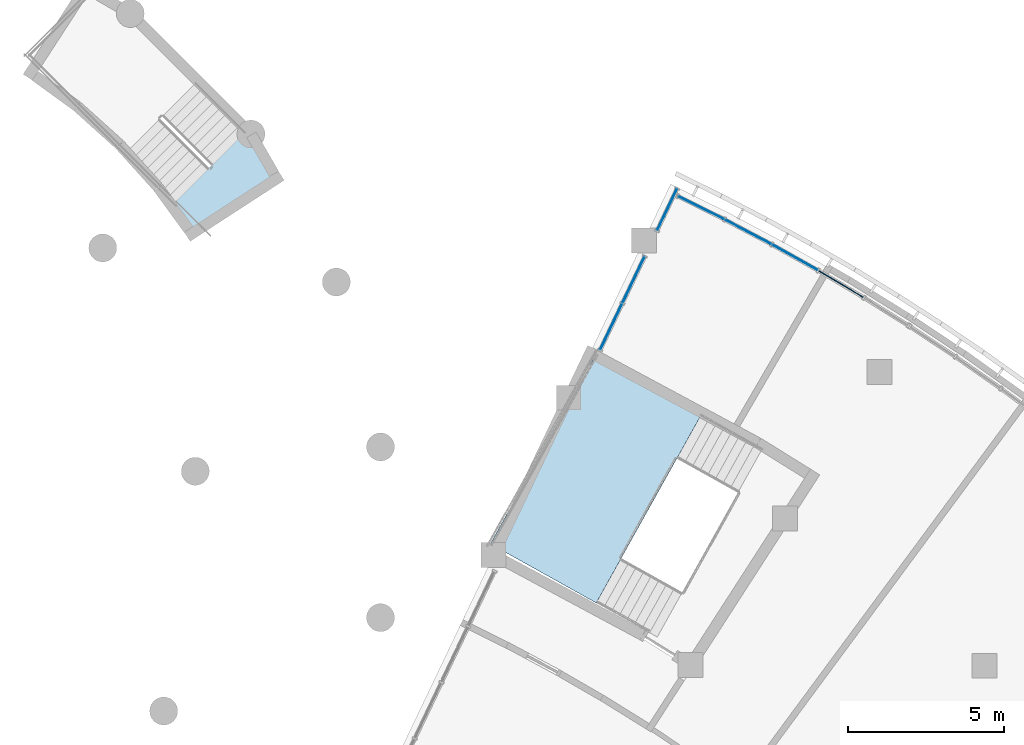
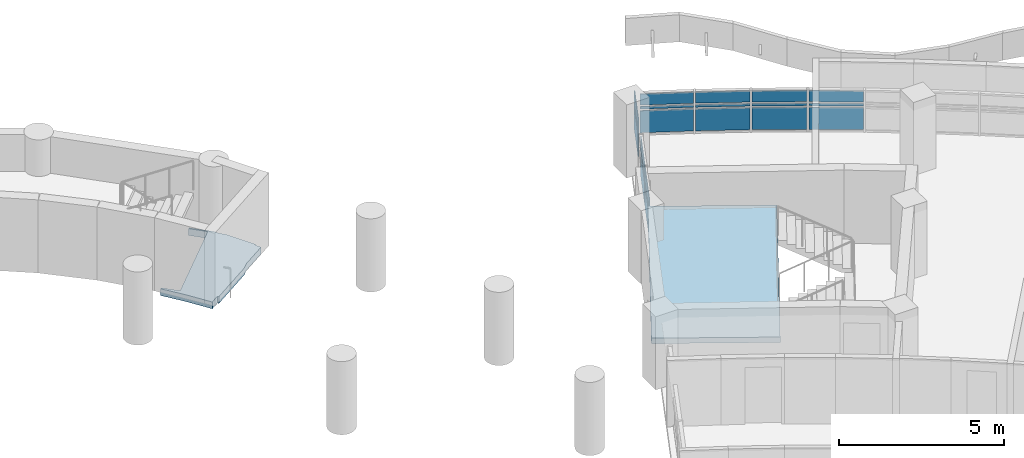
# One storey, part 29 of 89: 21 plates, 2 slabs, 4 elements without a shape of their own.
"""IFC4 building model written with IfcOpenShell, lengths in metres."""

import ifcopenshell
import ifcopenshell.guid

model = None  # the IFC model being written
_history = None  # IfcOwnerHistory: only IFC2X3 demands one
_inside = {}  # id of a spatial element -> (the spatial element, [elements in it])
_under = {}  # id of a project, library or spatial element -> (it, [spatial elements below it])
_declared = {}  # id of a project -> (the project, [libraries it declares])
_typed = {}  # id of a type object -> (the type object, [elements of that type])
_made_of = {}  # id of a material, layer set ... -> (it, [elements and type objects made of it])


def new_model(schema):
    """Start an empty IFC model of exactly this schema.

    Asked for "IFC4X3", IfcOpenShell would pick the latest addendum, in which some entities
    have other attributes; the version numbers below select the first issue.
    IFC2X3 requires an IfcOwnerHistory on every rooted entity: one is made here for all.
    """
    global model, _history
    if schema == "IFC4X3":
        model = ifcopenshell.file(schema_version=(4, 3, 0, 0))
    else:
        model = ifcopenshell.file(schema=schema)
    _inside.clear()
    _under.clear()
    _declared.clear()
    _typed.clear()
    _made_of.clear()
    _history = None
    if model.schema == "IFC2X3":
        org = make("IfcOrganization", Name="unknown")
        user = make(
            "IfcPersonAndOrganization",
            ThePerson=make("IfcPerson", FamilyName="unknown"),
            TheOrganization=org,
        )
        app = make(
            "IfcApplication",
            ApplicationDeveloper=org,
            Version="unknown",
            ApplicationFullName="unknown",
            ApplicationIdentifier="unknown",
        )
        _history = make(
            "IfcOwnerHistory",
            OwningUser=user,
            OwningApplication=app,
            ChangeAction="ADDED",
            CreationDate=0,
        )
    return model


def make(cls, **values):
    """One entity of the class cls with the attributes given. An attribute that is None is left unset."""
    return model.create_entity(
        cls, **{name: value for name, value in values.items() if value is not None}
    )


def rooted(cls, **values):
    """An entity with a GlobalId (a new one), such as an element, a storey or a relation."""
    return make(cls, GlobalId=ifcopenshell.guid.new(), OwnerHistory=_history, **values)


def si_unit(unit_type, name, prefix=None):
    """IfcSIUnit, for example si_unit("LENGTHUNIT", "METRE", prefix="MILLI")."""
    return make("IfcSIUnit", UnitType=unit_type, Prefix=prefix, Name=name)


def assignment(units):
    """IfcUnitAssignment: the units of a project."""
    return None if units is None else make("IfcUnitAssignment", Units=units)


def point(xyz):
    """IfcCartesianPoint."""
    return None if xyz is None else make("IfcCartesianPoint", Coordinates=xyz)


def direction(xyz):
    """IfcDirection."""
    return None if xyz is None else make("IfcDirection", DirectionRatios=xyz)


def frame(location, z_axis=None, x_axis=None):
    """IfcAxis2Placement3D, a coordinate frame: its origin and axes. An axis left out is left unset."""
    return make(
        "IfcAxis2Placement3D",
        Location=point(location),
        Axis=direction(z_axis),
        RefDirection=direction(x_axis),
    )


def frame_2d(location, x_axis=None):
    """IfcAxis2Placement2D, a coordinate frame in the plane: its origin and x axis."""
    return make(
        "IfcAxis2Placement2D", Location=point(location), RefDirection=direction(x_axis)
    )


def origin():
    """The frame at (0, 0, 0) with its axes left unset."""
    return frame((0.0, 0.0, 0.0))


def origin_2d():
    """The frame at (0, 0) in the plane with its x axis left unset."""
    return frame_2d((0.0, 0.0))


def place(relative_to, where):
    """IfcLocalPlacement: puts the frame where relative to a parent placement (None: the world)."""
    return make(
        "IfcLocalPlacement", PlacementRelTo=relative_to, RelativePlacement=where
    )


def context(
    kind, dimensions, precision=None, world=None, true_north=None, identifier=None
):
    """IfcGeometricRepresentationContext, for example the 3D "Model" context."""
    return make(
        "IfcGeometricRepresentationContext",
        ContextIdentifier=identifier,
        ContextType=kind,
        CoordinateSpaceDimension=dimensions,
        Precision=precision,
        WorldCoordinateSystem=world,
        TrueNorth=true_north,
    )


def subcontext(parent, identifier, kind, view, scale=None):
    """IfcGeometricRepresentationSubContext, for example "Body" below "Model"."""
    return make(
        "IfcGeometricRepresentationSubContext",
        ContextIdentifier=identifier,
        ContextType=kind,
        ParentContext=parent,
        TargetScale=scale,
        TargetView=view,
    )


def project(units=None, contexts=None):
    """IfcProject with its units and contexts."""
    return rooted(
        "IfcProject",
        Name="project",
        RepresentationContexts=contexts,
        UnitsInContext=assignment(units),
    )


def spatial(cls, under=None, at=None, **own):
    """A site, building, storey or space (cls), placed at a placement, below another one or the project."""
    s = rooted(cls, ObjectPlacement=at, **own)
    if under is not None:
        _under.setdefault(under.id(), (under, []))[1].append(s)
    return s


def polyline(points):
    """IfcPolyline through the points."""
    return make("IfcPolyline", Points=[point(p) for p in points])


def profile(cls, at=None, kind="AREA", **sizes):
    """A parametric profile (cls). Its sizes go by their IFC names, for example OverallWidth=200.0."""
    return make(cls, ProfileType=kind, Position=at, **sizes)


def rectangle(**sizes):
    """IfcRectangleProfileDef."""
    return profile("IfcRectangleProfileDef", **sizes)


def outline(outer, holes=None, kind="AREA"):
    """IfcArbitraryClosedProfileDef: a profile drawn as a closed curve; with holes, ...WithVoids."""
    if holes is None:
        return make("IfcArbitraryClosedProfileDef", ProfileType=kind, OuterCurve=outer)
    return make(
        "IfcArbitraryProfileDefWithVoids",
        ProfileType=kind,
        OuterCurve=outer,
        InnerCurves=holes,
    )


def extrude(swept, where, along, depth):
    """IfcExtrudedAreaSolid: the profile swept, set in the frame where, extruded along a direction by depth."""
    return make(
        "IfcExtrudedAreaSolid",
        SweptArea=swept,
        Position=where,
        ExtrudedDirection=direction(along),
        Depth=depth,
    )


def shape(context_of_items, identifier, shape_type, items):
    """IfcShapeRepresentation: the items that make up one representation, for example the "Body"."""
    return make(
        "IfcShapeRepresentation",
        ContextOfItems=context_of_items,
        RepresentationIdentifier=identifier,
        RepresentationType=shape_type,
        Items=items,
    )


def material(Name=None, Category=None):
    """IfcMaterial."""
    return make("IfcMaterial", Name=Name, Category=Category)


def layer(
    of_material, thickness, ventilated=None, Name=None, Category=None, Priority=None
):
    """IfcMaterialLayer: one layer of a wall or slab, of a material (None: an air gap)."""
    return make(
        "IfcMaterialLayer",
        Material=of_material,
        LayerThickness=thickness,
        IsVentilated=ventilated,
        Name=Name,
        Category=Category,
        Priority=Priority,
    )


def layer_set(layers, Name=None):
    """IfcMaterialLayerSet."""
    return make("IfcMaterialLayerSet", MaterialLayers=layers, LayerSetName=Name)


def made_of(thing, what):
    """Note that an element or type object is made of a material, layer set ...; save() writes the relation."""
    if what is not None:
        _made_of.setdefault(what.id(), (what, []))[1].append(thing)
    return thing


def type_object(cls, material=None, **own):
    """A type object (cls), such as IfcWallType, which elements share."""
    return made_of(rooted(cls, **own), material)


def element(
    cls,
    number,
    at=None,
    inside=None,
    cuts=None,
    type_object=None,
    material=None,
    context=None,
    identifier="Body",
    shape_type=None,
    held_by="IfcProductDefinitionShape",
    body=None,
    shapes=None,
    **own,
):
    """One element of the class cls, such as IfcWall. Its Tag is "e" and its number.

    at: its placement. inside: the storey or other place that contains it. cuts: it is an
    opening in that element (IfcRelVoidsElement). A single representation is given by context,
    identifier, shape_type and body (its items); several are given by shapes. held_by: the class
    of the entity that holds the representations. save() writes the other relations.
    """
    e = rooted(cls, Tag="e%d" % number, ObjectPlacement=at, **own)
    if body is not None:
        shapes = [shape(context, identifier, shape_type, body)]
    if shapes is not None:
        e.Representation = make(held_by, Representations=shapes)
    if inside is not None:
        _inside.setdefault(inside.id(), (inside, []))[1].append(e)
    if cuts is not None:
        rooted(
            "IfcRelVoidsElement", RelatingBuildingElement=cuts, RelatedOpeningElement=e
        )
    if type_object is not None:
        _typed.setdefault(type_object.id(), (type_object, []))[1].append(e)
    return made_of(e, material)


def aggregate(whole, parts):
    """IfcRelAggregates: a whole, such as a stair, and the parts it consists of."""
    return rooted("IfcRelAggregates", RelatingObject=whole, RelatedObjects=parts)


def save(model, path):
    """Write the relations noted so far, then the file.

    IfcRelAggregates (storeys below a building ...), IfcRelContainedInSpatialStructure (elements
    in a storey), IfcRelDefinesByType, IfcRelAssociatesMaterial and IfcRelDeclares: one each for
    every whole, place, type object, material and project.
    """
    for whole, parts in _under.values():
        aggregate(whole, parts)
    for where, things in _inside.values():
        rooted(
            "IfcRelContainedInSpatialStructure",
            RelatedElements=things,
            RelatingStructure=where,
        )
    for kind, things in _typed.values():
        rooted("IfcRelDefinesByType", RelatedObjects=things, RelatingType=kind)
    for what, things in _made_of.values():
        rooted("IfcRelAssociatesMaterial", RelatedObjects=things, RelatingMaterial=what)
    for by, libraries in _declared.values():
        rooted("IfcRelDeclares", RelatingContext=by, RelatedDefinitions=libraries)
    model.write(path)


model = new_model("IFC4")

# Units and contexts
model_context = context("Model", 3, precision=1e-05, world=origin(), true_north=direction((0.0, 1.0)))
body_context = subcontext(model_context, "Body", "Model", "MODEL_VIEW")
ifc_project = project(units=[si_unit("LENGTHUNIT", "METRE"), si_unit("AREAUNIT", "SQUARE_METRE"), si_unit("VOLUMEUNIT", "CUBIC_METRE"), si_unit("PLANEANGLEUNIT", "RADIAN"), si_unit("MASSUNIT", "GRAM", prefix="KILO")], contexts=[model_context])

# Site, building, storey
site_placement = place(None, origin())
site = spatial("IfcSite", under=ifc_project, at=site_placement, CompositionType="ELEMENT")
building_placement = place(site_placement, origin())
building = spatial("IfcBuilding", under=site, at=building_placement, Name="Bougainvillea Quay General Hospital", CompositionType="ELEMENT")
storey_placement = place(building_placement, frame((0.0, 0.0, 9.89990234375)))
storey = spatial("IfcBuildingStorey", under=building, at=storey_placement, Name="L01M", CompositionType="ELEMENT", Elevation=9.89990234375)

# Curtain wall, plates
ifc_material_1 = material(Name="Aluminium curtain wall system, powder-coated glazed", Category="aluminium")
curtain_wall_type_1 = type_object("IfcCurtainWallType", Name="Unitised curtain wall CW-2100", PredefinedType="NOTDEFINED", material=ifc_material_1)
curtain_wall_1_placement = place(storey_placement, origin())
curtain_wall_1 = element("IfcCurtainWall", 1, at=curtain_wall_1_placement, inside=storey, type_object=curtain_wall_type_1, Name="CW-E01 a10b0", PredefinedType="NOTDEFINED")
ifc_material_2 = material(Name="Insulated aluminium spandrel panel, white", Category="aluminium")
ifc_layer_1 = layer(ifc_material_2, 0.028076171875)
ifc_layer_set_1 = layer_set([ifc_layer_1], Name="Insulated aluminium spandrel panel, white")
plate_type_1 = type_object("IfcPlateType", Name="Insulated spandrel panel white 28", PredefinedType="CURTAIN_PANEL", material=ifc_layer_set_1)
plate_1_placement = place(storey_placement, frame((140.313720703125, 84.42041015625, 0.06005859375), z_axis=(0.0, 0.0, 1.0), x_axis=(0.895076033803, -0.445913549593, 0.0)))
plate_1 = element("IfcPlate", 2, at=plate_1_placement, type_object=plate_type_1, Name="CW-E01 spandrel panel 1.1", PredefinedType="CURTAIN_PANEL", context=body_context, shape_type="SweptSolid", body=[
    extrude(rectangle(XDim=1.62255859375, YDim=0.028076171875, at=origin_2d()), origin(), (0.0, 0.0, 1.0), 0.81005859375),
])
plate_2_placement = place(storey_placement, frame((140.313720703125, 84.42041015625, 1.080078125), z_axis=(0.0, 0.0, 1.0), x_axis=(0.895076033803, -0.445913549593, 0.0)))
plate_2 = element("IfcPlate", 3, at=plate_2_placement, type_object=plate_type_1, Name="CW-E01 spandrel panel 1.3", PredefinedType="CURTAIN_PANEL", context=body_context, shape_type="SweptSolid", body=[
    extrude(rectangle(XDim=1.62255859375, YDim=0.028076171875, at=origin_2d()), origin(), (0.0, 0.0, 1.0), 0.409912109375),
])
plate_3_placement = place(storey_placement, frame((141.823486328125, 83.644775390625, 0.06005859375), z_axis=(0.0, 0.0, 1.0), x_axis=(0.883859426955, -0.467752619856, 0.0)))
plate_3 = element("IfcPlate", 4, at=plate_3_placement, type_object=plate_type_1, Name="CW-E01 spandrel panel 2.1", PredefinedType="CURTAIN_PANEL", context=body_context, shape_type="SweptSolid", body=[
    extrude(rectangle(XDim=1.65234375, YDim=0.028076171875, at=origin_2d()), origin(), (0.0, 0.0, 1.0), 0.81005859375),
])
plate_4_placement = place(storey_placement, frame((141.823486328125, 83.644775390625, 1.080078125), z_axis=(0.0, 0.0, 1.0), x_axis=(0.883859426955, -0.467752619856, 0.0)))
plate_4 = element("IfcPlate", 5, at=plate_4_placement, type_object=plate_type_1, Name="CW-E01 spandrel panel 2.3", PredefinedType="CURTAIN_PANEL", context=body_context, shape_type="SweptSolid", body=[
    extrude(rectangle(XDim=1.65234375, YDim=0.028076171875, at=origin_2d()), origin(), (0.0, 0.0, 1.0), 0.409912109375),
])
plate_5_placement = place(storey_placement, frame((143.326904296875, 82.825439453125, 0.06005859375), z_axis=(0.0, 0.0, 1.0), x_axis=(0.87211006743, -0.489309748816, 0.0)))
plate_5 = element("IfcPlate", 6, at=plate_5_placement, type_object=plate_type_1, Name="CW-E01 spandrel panel 3.1", PredefinedType="CURTAIN_PANEL", context=body_context, shape_type="SweptSolid", body=[
    extrude(rectangle(XDim=1.65234375, YDim=0.028076171875, at=origin_2d()), origin(), (0.0, 0.0, 1.0), 0.81005859375),
])
plate_6_placement = place(storey_placement, frame((143.326904296875, 82.825439453125, 1.080078125), z_axis=(0.0, 0.0, 1.0), x_axis=(0.87211006743, -0.489309748816, 0.0)))
plate_6 = element("IfcPlate", 7, at=plate_6_placement, type_object=plate_type_1, Name="CW-E01 spandrel panel 3.3", PredefinedType="CURTAIN_PANEL", context=body_context, shape_type="SweptSolid", body=[
    extrude(rectangle(XDim=1.65234375, YDim=0.028076171875, at=origin_2d()), origin(), (0.0, 0.0, 1.0), 0.409912109375),
])
plate_7_placement = place(storey_placement, frame((144.809814453125, 81.96923828125, 0.06005859375), z_axis=(0.0, 0.0, 1.0), x_axis=(0.859835037223, -0.510571942789, 0.0)))
plate_7 = element("IfcPlate", 8, at=plate_7_placement, type_object=plate_type_1, Name="CW-E01 spandrel panel 4.1", PredefinedType="CURTAIN_PANEL", context=body_context, shape_type="SweptSolid", body=[
    extrude(rectangle(XDim=1.65234375, YDim=0.028076171875, at=origin_2d()), origin(), (0.0, 0.0, 1.0), 0.81005859375),
])
plate_8_placement = place(storey_placement, frame((144.809814453125, 81.96923828125, 1.080078125), z_axis=(0.0, 0.0, 1.0), x_axis=(0.859835037223, -0.510571942789, 0.0)))
plate_8 = element("IfcPlate", 9, at=plate_8_placement, type_object=plate_type_1, Name="CW-E01 spandrel panel 4.3", PredefinedType="CURTAIN_PANEL", context=body_context, shape_type="SweptSolid", body=[
    extrude(rectangle(XDim=1.65234375, YDim=0.028076171875, at=origin_2d()), origin(), (0.0, 0.0, 1.0), 0.409912109375),
])

curtain_wall_type_2 = type_object("IfcCurtainWallType", Name="Unitised curtain wall CW-1580", PredefinedType="NOTDEFINED", material=ifc_material_1)
curtain_wall_2_placement = place(storey_placement, origin())
curtain_wall_2 = element("IfcCurtainWall", 10, at=curtain_wall_2_placement, inside=storey, type_object=curtain_wall_type_2, Name="CW-AE 00", PredefinedType="NOTDEFINED")
plate_9_placement = place(storey_placement, frame((139.2216796875, 84.3603515625, 0.06005859375), z_axis=(0.0, 0.0, 1.0), x_axis=(-0.430525444112, -0.902578440897, 0.0)))
plate_9 = element("IfcPlate", 11, at=plate_9_placement, type_object=plate_type_1, Name="CW-AE spandrel panel 1.1", PredefinedType="CURTAIN_PANEL", context=body_context, shape_type="SweptSolid", body=[
    extrude(rectangle(XDim=1.459716796875, YDim=0.028076171875, at=origin_2d()), origin(), (0.0, 0.0, 1.0), 0.81005859375),
])
plate_10_placement = place(storey_placement, frame((139.2216796875, 84.3603515625, 1.080078125), z_axis=(0.0, 0.0, 1.0), x_axis=(-0.430525444112, -0.902578440897, 0.0)))
plate_10 = element("IfcPlate", 12, at=plate_10_placement, type_object=plate_type_1, Name="CW-AE spandrel panel 1.3", PredefinedType="CURTAIN_PANEL", context=body_context, shape_type="SweptSolid", body=[
    extrude(rectangle(XDim=1.459716796875, YDim=0.028076171875, at=origin_2d()), origin(), (0.0, 0.0, 1.0), 0.409912109375),
])

curtain_wall_type_3 = type_object("IfcCurtainWallType", Name="Unitised curtain wall CW-1703", PredefinedType="NOTDEFINED", material=ifc_material_1)
curtain_wall_3_placement = place(storey_placement, origin())
curtain_wall_3 = element("IfcCurtainWall", 13, at=curtain_wall_3_placement, inside=storey, type_object=curtain_wall_type_3, Name="CW-AE 01", PredefinedType="NOTDEFINED")
plate_11_placement = place(storey_placement, frame((138.146728515625, 82.107177734375, 0.06005859375), z_axis=(0.0, 0.0, 1.0), x_axis=(-0.430525444112, -0.902578440897, 0.0)))
plate_11 = element("IfcPlate", 14, at=plate_11_placement, type_object=plate_type_1, Name="CW-AE spandrel panel 1.1", PredefinedType="CURTAIN_PANEL", context=body_context, shape_type="SweptSolid", body=[
    extrude(rectangle(XDim=1.61279296875, YDim=0.028076171875, at=origin_2d()), origin(), (0.0, 0.0, 1.0), 0.81005859375),
])
plate_12_placement = place(storey_placement, frame((138.146728515625, 82.107177734375, 1.080078125), z_axis=(0.0, 0.0, 1.0), x_axis=(-0.430525444112, -0.902578440897, 0.0)))
plate_12 = element("IfcPlate", 15, at=plate_12_placement, type_object=plate_type_1, Name="CW-AE spandrel panel 1.3", PredefinedType="CURTAIN_PANEL", context=body_context, shape_type="SweptSolid", body=[
    extrude(rectangle(XDim=1.61279296875, YDim=0.028076171875, at=origin_2d()), origin(), (0.0, 0.0, 1.0), 0.409912109375),
])
plate_13_placement = place(storey_placement, frame((137.4267578125, 80.597412109375, 0.06005859375), z_axis=(0.0, 0.0, 1.0), x_axis=(-0.430525444112, -0.902578440897, 0.0)))
plate_13 = element("IfcPlate", 16, at=plate_13_placement, type_object=plate_type_1, Name="CW-AE spandrel panel 2.1", PredefinedType="CURTAIN_PANEL", context=body_context, shape_type="SweptSolid", body=[
    extrude(rectangle(XDim=1.61279296875, YDim=0.028076171875, at=origin_2d()), origin(), (0.0, 0.0, 1.0), 0.81005859375),
])
plate_14_placement = place(storey_placement, frame((137.4267578125, 80.597412109375, 1.080078125), z_axis=(0.0, 0.0, 1.0), x_axis=(-0.430525444112, -0.902578440897, 0.0)))
plate_14 = element("IfcPlate", 17, at=plate_14_placement, type_object=plate_type_1, Name="CW-AE spandrel panel 2.3", PredefinedType="CURTAIN_PANEL", context=body_context, shape_type="SweptSolid", body=[
    extrude(rectangle(XDim=1.61279296875, YDim=0.028076171875, at=origin_2d()), origin(), (0.0, 0.0, 1.0), 0.409912109375),
])

# Plate
ifc_material_3 = material(Name="Low-e laminated glass, solar control", Category="glass")
ifc_layer_2 = layer(ifc_material_3, 0.028076171875)
ifc_layer_set_2 = layer_set([ifc_layer_2], Name="Low-e laminated glass, solar control")
plate_type_2 = type_object("IfcPlateType", Name="Low-e laminated vision glass 28", PredefinedType="CURTAIN_PANEL", material=ifc_layer_set_2)
plate_15_placement = place(storey_placement, frame((140.313720703125, 84.42041015625, 0.93017578125), z_axis=(0.0, 0.0, 1.0), x_axis=(0.895076033803, -0.445913549593, 0.0)))
plate_15 = element("IfcPlate", 18, at=plate_15_placement, type_object=plate_type_2, Name="CW-E01 vision glass panel 1.2", PredefinedType="CURTAIN_PANEL", context=body_context, shape_type="SweptSolid", body=[
    extrude(rectangle(XDim=1.62255859375, YDim=0.028076171875, at=origin_2d()), origin(), (0.0, 0.0, 1.0), 0.090087890625),
])

plate_16_placement = place(storey_placement, frame((141.823486328125, 83.644775390625, 0.93017578125), z_axis=(0.0, 0.0, 1.0), x_axis=(0.883859426955, -0.467752619856, 0.0)))
plate_16 = element("IfcPlate", 19, at=plate_16_placement, type_object=plate_type_2, Name="CW-E01 vision glass panel 2.2", PredefinedType="CURTAIN_PANEL", context=body_context, shape_type="SweptSolid", body=[
    extrude(rectangle(XDim=1.65234375, YDim=0.028076171875, at=origin_2d()), origin(), (0.0, 0.0, 1.0), 0.090087890625),
])

plate_17_placement = place(storey_placement, frame((143.326904296875, 82.825439453125, 0.93017578125), z_axis=(0.0, 0.0, 1.0), x_axis=(0.87211006743, -0.489309748816, 0.0)))
plate_17 = element("IfcPlate", 20, at=plate_17_placement, type_object=plate_type_2, Name="CW-E01 vision glass panel 3.2", PredefinedType="CURTAIN_PANEL", context=body_context, shape_type="SweptSolid", body=[
    extrude(rectangle(XDim=1.65234375, YDim=0.028076171875, at=origin_2d()), origin(), (0.0, 0.0, 1.0), 0.090087890625),
])

plate_18_placement = place(storey_placement, frame((144.809814453125, 81.96923828125, 0.93017578125), z_axis=(0.0, 0.0, 1.0), x_axis=(0.859835037223, -0.510571942789, 0.0)))
plate_18 = element("IfcPlate", 21, at=plate_18_placement, type_object=plate_type_2, Name="CW-E01 vision glass panel 4.2", PredefinedType="CURTAIN_PANEL", context=body_context, shape_type="SweptSolid", body=[
    extrude(rectangle(XDim=1.65234375, YDim=0.028076171875, at=origin_2d()), origin(), (0.0, 0.0, 1.0), 0.090087890625),
])

aggregate(curtain_wall_1, [plate_1, plate_15, plate_2, plate_3, plate_16, plate_4, plate_5, plate_17, plate_6, plate_7, plate_18, plate_8])

plate_19_placement = place(storey_placement, frame((139.2216796875, 84.3603515625, 0.93017578125), z_axis=(0.0, 0.0, 1.0), x_axis=(-0.430525444112, -0.902578440897, 0.0)))
plate_19 = element("IfcPlate", 22, at=plate_19_placement, type_object=plate_type_2, Name="CW-AE vision glass panel 1.2", PredefinedType="CURTAIN_PANEL", context=body_context, shape_type="SweptSolid", body=[
    extrude(rectangle(XDim=1.459716796875, YDim=0.028076171875, at=origin_2d()), origin(), (0.0, 0.0, 1.0), 0.090087890625),
])

aggregate(curtain_wall_2, [plate_9, plate_19, plate_10])

plate_20_placement = place(storey_placement, frame((138.146728515625, 82.107177734375, 0.93017578125), z_axis=(0.0, 0.0, 1.0), x_axis=(-0.430525444112, -0.902578440897, 0.0)))
plate_20 = element("IfcPlate", 23, at=plate_20_placement, type_object=plate_type_2, Name="CW-AE vision glass panel 1.2", PredefinedType="CURTAIN_PANEL", context=body_context, shape_type="SweptSolid", body=[
    extrude(rectangle(XDim=1.61279296875, YDim=0.028076171875, at=origin_2d()), origin(), (0.0, 0.0, 1.0), 0.090087890625),
])

plate_21_placement = place(storey_placement, frame((137.4267578125, 80.597412109375, 0.93017578125), z_axis=(0.0, 0.0, 1.0), x_axis=(-0.430525444112, -0.902578440897, 0.0)))
plate_21 = element("IfcPlate", 24, at=plate_21_placement, type_object=plate_type_2, Name="CW-AE vision glass panel 2.2", PredefinedType="CURTAIN_PANEL", context=body_context, shape_type="SweptSolid", body=[
    extrude(rectangle(XDim=1.61279296875, YDim=0.028076171875, at=origin_2d()), origin(), (0.0, 0.0, 1.0), 0.090087890625),
])

aggregate(curtain_wall_3, [plate_11, plate_20, plate_12, plate_13, plate_21, plate_14])

# Slab
ifc_material_4 = material(Name="Concrete C35", Category="concrete")
ifc_layer_3 = layer(ifc_material_4, 0.25)
ifc_layer_set_3 = layer_set([ifc_layer_3], Name="Concrete C35")
slab_type_1 = type_object("IfcSlabType", Name="RC FLAT SLAB 250 C35", PredefinedType="FLOOR", material=ifc_layer_set_3)
slab_1_placement = place(storey_placement, frame((0.0, 0.0, -0.25)))
element("IfcSlab", 25, at=slab_1_placement, inside=storey, type_object=slab_type_1, Name="Stair landing floor ST-H1 L01M", PredefinedType="FLOOR", context=body_context, shape_type="SweptSolid", body=[
    extrude(outline(polyline([(125.685302734375, 84.64599609375), (124.2763671875, 83.731201171875), (124.240234375, 83.767333984375), (123.9609375, 83.5859375), (123.43896484375, 84.344970703125), (122.95703125, 84.97314453125), (122.9931640625, 85.012939453125), (123.418212890625, 84.588623046875), (125.7001953125, 86.87060546875), (125.27587890625, 87.295654296875), (125.31396484375, 87.330078125), (125.860107421875, 86.783935546875), (125.961181640625, 86.60888671875), (126.09765625, 86.47216796875), (126.614990234375, 85.575927734375), (126.57861328125, 85.539306640625), (126.68505859375, 85.35498046875), (125.855224609375, 84.816162109375), (125.685302734375, 84.64599609375)])), origin(), (0.0, 0.0, 1.0), 0.25),
])

# Stair, slab
stair_type = type_object("IfcStairType", Name="Stair half-turn 1650 wide", PredefinedType="HALF_TURN_STAIR", material=ifc_material_4)
stair_placement = place(storey_placement, origin())
stair = element("IfcStair", 26, at=stair_placement, inside=storey, type_object=stair_type, Name="L01M stair ST-E1", PredefinedType="HALF_TURN_STAIR")
ifc_layer_4 = layer(ifc_material_4, 0.199951171875)
ifc_layer_set_4 = layer_set([ifc_layer_4], Name="Concrete C35")
slab_type_2 = type_object("IfcSlabType", Name="Stair landing 200", PredefinedType="LANDING", material=ifc_layer_set_4)
slab_2_placement = place(storey_placement, frame((0.0, 0.0, 1.150146484375)))
slab_2 = element("IfcSlab", 27, at=slab_2_placement, type_object=slab_type_2, Name="ST-E1 landing 1", PredefinedType="LANDING", context=body_context, shape_type="SweptSolid", body=[
    extrude(outline(polyline([(140.337646484375, 77.804443359375), (136.931884765625, 79.704345703125), (133.54248046875, 73.628662109375), (136.9482421875, 71.728515625), (140.337646484375, 77.804443359375)])), origin(), (0.0, 0.0, 1.0), 0.199951171875),
])
aggregate(stair, [slab_2])

save(model, "model.ifc")
